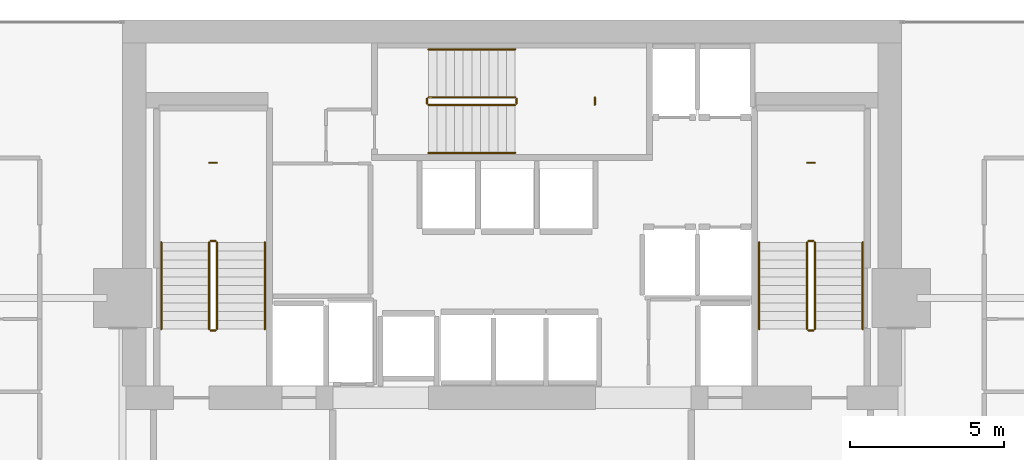
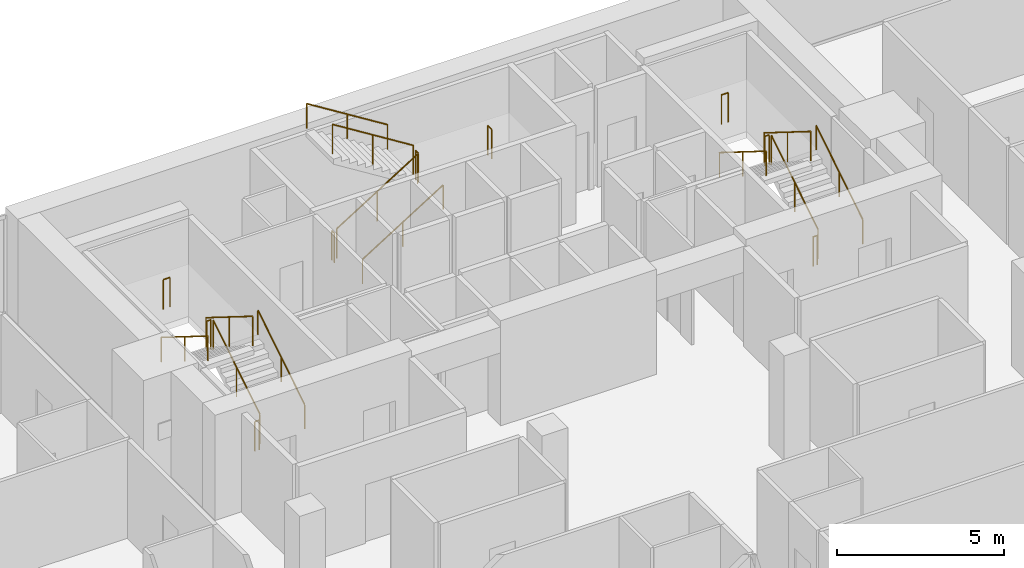
# One storey, part 34 of 34: 21 railings.
"""IFC4 building model written with IfcOpenShell, lengths in metres."""

import ifcopenshell
import ifcopenshell.guid

model = None  # the IFC model being written
_history = None  # IfcOwnerHistory: only IFC2X3 demands one
_inside = {}  # id of a spatial element -> (the spatial element, [elements in it])
_under = {}  # id of a project, library or spatial element -> (it, [spatial elements below it])
_declared = {}  # id of a project -> (the project, [libraries it declares])
_typed = {}  # id of a type object -> (the type object, [elements of that type])
_made_of = {}  # id of a material, layer set ... -> (it, [elements and type objects made of it])


def new_model(schema):
    """Start an empty IFC model of exactly this schema.

    Asked for "IFC4X3", IfcOpenShell would pick the latest addendum, in which some entities
    have other attributes; the version numbers below select the first issue.
    IFC2X3 requires an IfcOwnerHistory on every rooted entity: one is made here for all.
    """
    global model, _history
    if schema == "IFC4X3":
        model = ifcopenshell.file(schema_version=(4, 3, 0, 0))
    else:
        model = ifcopenshell.file(schema=schema)
    _inside.clear()
    _under.clear()
    _declared.clear()
    _typed.clear()
    _made_of.clear()
    _history = None
    if model.schema == "IFC2X3":
        org = make("IfcOrganization", Name="unknown")
        user = make(
            "IfcPersonAndOrganization",
            ThePerson=make("IfcPerson", FamilyName="unknown"),
            TheOrganization=org,
        )
        app = make(
            "IfcApplication",
            ApplicationDeveloper=org,
            Version="unknown",
            ApplicationFullName="unknown",
            ApplicationIdentifier="unknown",
        )
        _history = make(
            "IfcOwnerHistory",
            OwningUser=user,
            OwningApplication=app,
            ChangeAction="ADDED",
            CreationDate=0,
        )
    return model


def make(cls, **values):
    """One entity of the class cls with the attributes given. An attribute that is None is left unset."""
    return model.create_entity(
        cls, **{name: value for name, value in values.items() if value is not None}
    )


def rooted(cls, **values):
    """An entity with a GlobalId (a new one), such as an element, a storey or a relation."""
    return make(cls, GlobalId=ifcopenshell.guid.new(), OwnerHistory=_history, **values)


def si_unit(unit_type, name, prefix=None):
    """IfcSIUnit, for example si_unit("LENGTHUNIT", "METRE", prefix="MILLI")."""
    return make("IfcSIUnit", UnitType=unit_type, Prefix=prefix, Name=name)


def assignment(units):
    """IfcUnitAssignment: the units of a project."""
    return None if units is None else make("IfcUnitAssignment", Units=units)


def point(xyz):
    """IfcCartesianPoint."""
    return None if xyz is None else make("IfcCartesianPoint", Coordinates=xyz)


def direction(xyz):
    """IfcDirection."""
    return None if xyz is None else make("IfcDirection", DirectionRatios=xyz)


def frame(location, z_axis=None, x_axis=None):
    """IfcAxis2Placement3D, a coordinate frame: its origin and axes. An axis left out is left unset."""
    return make(
        "IfcAxis2Placement3D",
        Location=point(location),
        Axis=direction(z_axis),
        RefDirection=direction(x_axis),
    )


def frame_2d(location, x_axis=None):
    """IfcAxis2Placement2D, a coordinate frame in the plane: its origin and x axis."""
    return make(
        "IfcAxis2Placement2D", Location=point(location), RefDirection=direction(x_axis)
    )


def origin():
    """The frame at (0, 0, 0) with its axes left unset."""
    return frame((0.0, 0.0, 0.0))


def origin_2d():
    """The frame at (0, 0) in the plane with its x axis left unset."""
    return frame_2d((0.0, 0.0))


def place(relative_to, where):
    """IfcLocalPlacement: puts the frame where relative to a parent placement (None: the world)."""
    return make(
        "IfcLocalPlacement", PlacementRelTo=relative_to, RelativePlacement=where
    )


def context(
    kind, dimensions, precision=None, world=None, true_north=None, identifier=None
):
    """IfcGeometricRepresentationContext, for example the 3D "Model" context."""
    return make(
        "IfcGeometricRepresentationContext",
        ContextIdentifier=identifier,
        ContextType=kind,
        CoordinateSpaceDimension=dimensions,
        Precision=precision,
        WorldCoordinateSystem=world,
        TrueNorth=true_north,
    )


def subcontext(parent, identifier, kind, view, scale=None):
    """IfcGeometricRepresentationSubContext, for example "Body" below "Model"."""
    return make(
        "IfcGeometricRepresentationSubContext",
        ContextIdentifier=identifier,
        ContextType=kind,
        ParentContext=parent,
        TargetScale=scale,
        TargetView=view,
    )


def project(units=None, contexts=None):
    """IfcProject with its units and contexts."""
    return rooted(
        "IfcProject",
        Name="project",
        RepresentationContexts=contexts,
        UnitsInContext=assignment(units),
    )


def spatial(cls, under=None, at=None, **own):
    """A site, building, storey or space (cls), placed at a placement, below another one or the project."""
    s = rooted(cls, ObjectPlacement=at, **own)
    if under is not None:
        _under.setdefault(under.id(), (under, []))[1].append(s)
    return s


def profile(cls, at=None, kind="AREA", **sizes):
    """A parametric profile (cls). Its sizes go by their IFC names, for example OverallWidth=200.0."""
    return make(cls, ProfileType=kind, Position=at, **sizes)


def circle(**sizes):
    """IfcCircleProfileDef."""
    return profile("IfcCircleProfileDef", **sizes)


def extrude(swept, where, along, depth):
    """IfcExtrudedAreaSolid: the profile swept, set in the frame where, extruded along a direction by depth."""
    return make(
        "IfcExtrudedAreaSolid",
        SweptArea=swept,
        Position=where,
        ExtrudedDirection=direction(along),
        Depth=depth,
    )


def shape(context_of_items, identifier, shape_type, items):
    """IfcShapeRepresentation: the items that make up one representation, for example the "Body"."""
    return make(
        "IfcShapeRepresentation",
        ContextOfItems=context_of_items,
        RepresentationIdentifier=identifier,
        RepresentationType=shape_type,
        Items=items,
    )


def material(Name=None, Category=None):
    """IfcMaterial."""
    return make("IfcMaterial", Name=Name, Category=Category)


def made_of(thing, what):
    """Note that an element or type object is made of a material, layer set ...; save() writes the relation."""
    if what is not None:
        _made_of.setdefault(what.id(), (what, []))[1].append(thing)
    return thing


def type_object(cls, material=None, **own):
    """A type object (cls), such as IfcWallType, which elements share."""
    return made_of(rooted(cls, **own), material)


def element(
    cls,
    number,
    at=None,
    inside=None,
    cuts=None,
    type_object=None,
    material=None,
    context=None,
    identifier="Body",
    shape_type=None,
    held_by="IfcProductDefinitionShape",
    body=None,
    shapes=None,
    **own,
):
    """One element of the class cls, such as IfcWall. Its Tag is "e" and its number.

    at: its placement. inside: the storey or other place that contains it. cuts: it is an
    opening in that element (IfcRelVoidsElement). A single representation is given by context,
    identifier, shape_type and body (its items); several are given by shapes. held_by: the class
    of the entity that holds the representations. save() writes the other relations.
    """
    e = rooted(cls, Tag="e%d" % number, ObjectPlacement=at, **own)
    if body is not None:
        shapes = [shape(context, identifier, shape_type, body)]
    if shapes is not None:
        e.Representation = make(held_by, Representations=shapes)
    if inside is not None:
        _inside.setdefault(inside.id(), (inside, []))[1].append(e)
    if cuts is not None:
        rooted(
            "IfcRelVoidsElement", RelatingBuildingElement=cuts, RelatedOpeningElement=e
        )
    if type_object is not None:
        _typed.setdefault(type_object.id(), (type_object, []))[1].append(e)
    return made_of(e, material)


def aggregate(whole, parts):
    """IfcRelAggregates: a whole, such as a stair, and the parts it consists of."""
    return rooted("IfcRelAggregates", RelatingObject=whole, RelatedObjects=parts)


def save(model, path):
    """Write the relations noted so far, then the file.

    IfcRelAggregates (storeys below a building ...), IfcRelContainedInSpatialStructure (elements
    in a storey), IfcRelDefinesByType, IfcRelAssociatesMaterial and IfcRelDeclares: one each for
    every whole, place, type object, material and project.
    """
    for whole, parts in _under.values():
        aggregate(whole, parts)
    for where, things in _inside.values():
        rooted(
            "IfcRelContainedInSpatialStructure",
            RelatedElements=things,
            RelatingStructure=where,
        )
    for kind, things in _typed.values():
        rooted("IfcRelDefinesByType", RelatedObjects=things, RelatingType=kind)
    for what, things in _made_of.values():
        rooted("IfcRelAssociatesMaterial", RelatedObjects=things, RelatingMaterial=what)
    for by, libraries in _declared.values():
        rooted("IfcRelDeclares", RelatingContext=by, RelatedDefinitions=libraries)
    model.write(path)


model = new_model("IFC4")

# Units and contexts
model_context = context("Model", 3, precision=1e-05, world=origin(), true_north=direction((0.0, 1.0)))
body_context = subcontext(model_context, "Body", "Model", "MODEL_VIEW")
ifc_project = project(units=[si_unit("LENGTHUNIT", "METRE"), si_unit("AREAUNIT", "SQUARE_METRE"), si_unit("VOLUMEUNIT", "CUBIC_METRE"), si_unit("PLANEANGLEUNIT", "RADIAN"), si_unit("MASSUNIT", "GRAM", prefix="KILO")], contexts=[model_context])

# Site, building, storey
site_placement = place(None, origin())
site = spatial("IfcSite", under=ifc_project, at=site_placement, CompositionType="ELEMENT")
building_placement = place(site_placement, origin())
building = spatial("IfcBuilding", under=site, at=building_placement, Name="Maruvema Waterfront Hotel and Observation Tower", CompositionType="ELEMENT")
storey_placement = place(building_placement, frame((0.0, 0.0, 189.0)))
storey = spatial("IfcBuildingStorey", under=building, at=storey_placement, Name="L46", CompositionType="ELEMENT", Elevation=189.0)

# Railings
ifc_material_1 = material(Name="Brushed stainless steel Grade 316", Category="steel")
railing_type_1 = type_object("IfcRailingType", Name="Ramp Continuous Wall Handrail 920 mm", PredefinedType="HANDRAIL", material=ifc_material_1)
railing_1_placement = place(storey_placement, frame((29.800048828125, 44.0, 0.175048828125)))
element("IfcRailing", 1, at=railing_1_placement, inside=storey, type_object=railing_type_1, Name="L46 ST-01 stair handrail 1", PredefinedType="HANDRAIL", context=body_context, shape_type="SweptSolid", body=[
    extrude(circle(Radius=0.02392578125, at=origin_2d()), frame((0.0, 0.0, 0.89599609375), z_axis=(0.0, 0.848002457836, 0.529992293815), x_axis=(-1.0, 0.0, 0.0)), (0.0, 0.0, 1.0), 3.302001953125),
    extrude(circle(Radius=0.02099609375, at=origin_2d()), origin(), (0.0, 0.0, 1.0), 0.871826171875),
    extrude(circle(Radius=0.02099609375, at=origin_2d()), frame((0.0, 1.39990234375, 0.875)), (0.0, 0.0, 1.0), 0.871826171875),
    extrude(circle(Radius=0.02099609375, at=origin_2d()), frame((0.0, 2.800048828125, 1.75)), (0.0, 0.0, 1.0), 0.871826171875),
])
railing_2_placement = place(storey_placement, frame((26.449951171875, 46.800048828125, 2.10009765625)))
element("IfcRailing", 2, at=railing_2_placement, inside=storey, type_object=railing_type_1, Name="L46 ST-01 stair handrail 2", PredefinedType="HANDRAIL", context=body_context, shape_type="SweptSolid", body=[
    extrude(circle(Radius=0.02392578125, at=origin_2d()), frame((0.0, 0.0, 0.89599609375), z_axis=(0.0, -0.848002457836, 0.529992293815), x_axis=(1.0, 0.0, 0.0)), (0.0, 0.0, 1.0), 3.302001953125),
    extrude(circle(Radius=0.02099609375, at=origin_2d()), origin(), (0.0, 0.0, 1.0), 0.871826171875),
    extrude(circle(Radius=0.02099609375, at=origin_2d()), frame((0.0, -1.39990234375, 0.875)), (0.0, 0.0, 1.0), 0.871826171875),
    extrude(circle(Radius=0.02099609375, at=origin_2d()), frame((0.0, -2.800048828125, 1.75)), (0.0, 0.0, 1.0), 0.871826171875),
])
railing_3_placement = place(storey_placement, frame((35.10009765625, 49.699951171875, 0.175048828125)))
element("IfcRailing", 3, at=railing_3_placement, inside=storey, type_object=railing_type_1, Name="L46 ST-02 stair handrail 1", PredefinedType="HANDRAIL", context=body_context, shape_type="SweptSolid", body=[
    extrude(circle(Radius=0.02392578125, at=origin_2d()), frame((0.0, 0.0, 0.89599609375), z_axis=(0.847981687118, 0.0, 0.530025526095), x_axis=(0.0, 1.0, 0.0)), (0.0, 0.0, 1.0), 3.3017578125),
    extrude(circle(Radius=0.02099609375, at=origin_2d()), origin(), (0.0, 0.0, 1.0), 0.871826171875),
    extrude(circle(Radius=0.02099609375, at=origin_2d()), frame((1.39990234375, 0.0, 0.875)), (0.0, 0.0, 1.0), 0.871826171875),
    extrude(circle(Radius=0.02099609375, at=origin_2d()), frame((2.7998046875, 0.0, 1.75)), (0.0, 0.0, 1.0), 0.871826171875),
])
railing_4_placement = place(storey_placement, frame((37.89990234375, 53.050048828125, 2.10009765625)))
element("IfcRailing", 4, at=railing_4_placement, inside=storey, type_object=railing_type_1, Name="L46 ST-02 stair handrail 2", PredefinedType="HANDRAIL", context=body_context, shape_type="SweptSolid", body=[
    extrude(circle(Radius=0.02392578125, at=origin_2d()), frame((0.0, 0.0, 0.89599609375), z_axis=(-0.847981687118, 0.0, 0.530025526095), x_axis=(0.0, -1.0, 0.0)), (0.0, 0.0, 1.0), 3.3017578125),
    extrude(circle(Radius=0.02099609375, at=origin_2d()), origin(), (0.0, 0.0, 1.0), 0.871826171875),
    extrude(circle(Radius=0.02099609375, at=origin_2d()), frame((-1.39990234375, 0.0, 0.875)), (0.0, 0.0, 1.0), 0.871826171875),
    extrude(circle(Radius=0.02099609375, at=origin_2d()), frame((-2.7998046875, 0.0, 1.75)), (0.0, 0.0, 1.0), 0.871826171875),
])
railing_5_placement = place(storey_placement, frame((49.14990234375, 44.0, 0.175048828125)))
element("IfcRailing", 5, at=railing_5_placement, inside=storey, type_object=railing_type_1, Name="L46 ST-03 stair handrail 1", PredefinedType="HANDRAIL", context=body_context, shape_type="SweptSolid", body=[
    extrude(circle(Radius=0.02392578125, at=origin_2d()), frame((0.0, 0.0, 0.89599609375), z_axis=(0.0, 0.848002457836, 0.529992293815), x_axis=(-1.0, 0.0, 0.0)), (0.0, 0.0, 1.0), 3.302001953125),
    extrude(circle(Radius=0.02099609375, at=origin_2d()), origin(), (0.0, 0.0, 1.0), 0.871826171875),
    extrude(circle(Radius=0.02099609375, at=origin_2d()), frame((0.0, 1.39990234375, 0.875)), (0.0, 0.0, 1.0), 0.871826171875),
    extrude(circle(Radius=0.02099609375, at=origin_2d()), frame((0.0, 2.800048828125, 1.75)), (0.0, 0.0, 1.0), 0.871826171875),
])
railing_6_placement = place(storey_placement, frame((45.800048828125, 46.800048828125, 2.10009765625)))
element("IfcRailing", 6, at=railing_6_placement, inside=storey, type_object=railing_type_1, Name="L46 ST-03 stair handrail 2", PredefinedType="HANDRAIL", context=body_context, shape_type="SweptSolid", body=[
    extrude(circle(Radius=0.02392578125, at=origin_2d()), frame((0.0, 0.0, 0.89599609375), z_axis=(0.0, -0.848002457836, 0.529992293815), x_axis=(1.0, 0.0, 0.0)), (0.0, 0.0, 1.0), 3.302001953125),
    extrude(circle(Radius=0.02099609375, at=origin_2d()), origin(), (0.0, 0.0, 1.0), 0.871826171875),
    extrude(circle(Radius=0.02099609375, at=origin_2d()), frame((0.0, -1.39990234375, 0.875)), (0.0, 0.0, 1.0), 0.871826171875),
    extrude(circle(Radius=0.02099609375, at=origin_2d()), frame((0.0, -2.800048828125, 1.75)), (0.0, 0.0, 1.0), 0.871826171875),
])
ifc_material_2 = material(Name="Brushed stainless steel Grade 316", Category="steel")
railing_type_2 = type_object("IfcRailingType", Name="Ramp and Terrace Guard Balustrade 1100 mm", PredefinedType="BALUSTRADE", material=ifc_material_2)
railing_7_placement = place(storey_placement, frame((28.25, 44.0, 0.175048828125)))
element("IfcRailing", 7, at=railing_7_placement, inside=storey, type_object=railing_type_2, Name="L46 ST-01 stair guard 1", PredefinedType="BALUSTRADE", context=body_context, shape_type="SweptSolid", body=[
    extrude(circle(Radius=0.02392578125, at=origin_2d()), frame((0.0, 0.0, 1.076171875), z_axis=(0.0, 0.848002457836, 0.529992293815), x_axis=(-1.0, 0.0, 0.0)), (0.0, 0.0, 1.0), 3.302001953125),
    extrude(circle(Radius=0.02099609375, at=origin_2d()), origin(), (0.0, 0.0, 1.0), 1.052001953125),
    extrude(circle(Radius=0.02099609375, at=origin_2d()), frame((0.0, 1.39990234375, 0.875)), (0.0, 0.0, 1.0), 1.052001953125),
    extrude(circle(Radius=0.02099609375, at=origin_2d()), frame((0.0, 2.800048828125, 1.75)), (0.0, 0.0, 1.0), 1.052001953125),
])
railing_8_placement = place(storey_placement, frame((28.199951171875, 46.85009765625, 1.925048828125)))
element("IfcRailing", 8, at=railing_8_placement, inside=storey, type_object=railing_type_2, Name="L46 ST-01 stair guard 2", PredefinedType="BALUSTRADE", context=body_context, shape_type="SweptSolid", body=[
    extrude(circle(Radius=0.02392578125, at=origin_2d()), frame((0.0, 0.0, 1.076171875), z_axis=(-1.0, 0.0, 0.0), x_axis=(0.0, -1.0, 0.0)), (0.0, 0.0, 1.0), 0.14990234375),
    extrude(circle(Radius=0.02099609375, at=origin_2d()), origin(), (0.0, 0.0, 1.0), 1.052001953125),
    extrude(circle(Radius=0.02099609375, at=origin_2d()), frame((-0.14990234375, 0.0, 0.0)), (0.0, 0.0, 1.0), 1.052001953125),
])
railing_9_placement = place(storey_placement, frame((28.0, 46.800048828125, 2.10009765625)))
element("IfcRailing", 9, at=railing_9_placement, inside=storey, type_object=railing_type_2, Name="L46 ST-01 stair guard 3", PredefinedType="BALUSTRADE", context=body_context, shape_type="SweptSolid", body=[
    extrude(circle(Radius=0.02392578125, at=origin_2d()), frame((0.0, 0.0, 1.076171875), z_axis=(0.0, -0.848002457836, 0.529992293815), x_axis=(1.0, 0.0, 0.0)), (0.0, 0.0, 1.0), 3.302001953125),
    extrude(circle(Radius=0.02099609375, at=origin_2d()), origin(), (0.0, 0.0, 1.0), 1.052001953125),
    extrude(circle(Radius=0.02099609375, at=origin_2d()), frame((0.0, -1.39990234375, 0.875)), (0.0, 0.0, 1.0), 1.052001953125),
    extrude(circle(Radius=0.02099609375, at=origin_2d()), frame((0.0, -2.800048828125, 1.75)), (0.0, 0.0, 1.0), 1.052001953125),
])
railing_10_placement = place(storey_placement, frame((28.199951171875, 43.949951171875, 0.0)))
element("IfcRailing", 10, at=railing_10_placement, inside=storey, type_object=railing_type_2, Name="L46 ST-01 stair guard 4", PredefinedType="BALUSTRADE", context=body_context, shape_type="SweptSolid", body=[
    extrude(circle(Radius=0.02392578125, at=origin_2d()), frame((0.0, 0.0, 1.076171875), z_axis=(-1.0, 0.0, 0.0), x_axis=(0.0, -1.0, 0.0)), (0.0, 0.0, 1.0), 0.14990234375),
    extrude(circle(Radius=0.02099609375, at=origin_2d()), origin(), (0.0, 0.0, 1.0), 1.052001953125),
    extrude(circle(Radius=0.02099609375, at=origin_2d()), frame((-0.14990234375, 0.0, 0.0)), (0.0, 0.0, 1.0), 1.052001953125),
])
railing_11_placement = place(storey_placement, frame((28.239990234375, 49.3798828125, 1.925048828125)))
element("IfcRailing", 11, at=railing_11_placement, inside=storey, type_object=railing_type_2, Name="L46 ST-01 Half-Landing Slot Guard", PredefinedType="BALUSTRADE", context=body_context, shape_type="SweptSolid", body=[
    extrude(circle(Radius=0.02392578125, at=origin_2d()), frame((0.0, 0.0, 1.076171875), z_axis=(-1.0, 0.0, 0.0), x_axis=(0.0, -1.0, 0.0)), (0.0, 0.0, 1.0), 0.22998046875),
    extrude(circle(Radius=0.02099609375, at=origin_2d()), origin(), (0.0, 0.0, 1.0), 1.052001953125),
    extrude(circle(Radius=0.02099609375, at=origin_2d()), frame((-0.22998046875, 0.0, 0.0)), (0.0, 0.0, 1.0), 1.052001953125),
])
railing_12_placement = place(storey_placement, frame((35.10009765625, 51.25, 0.175048828125)))
element("IfcRailing", 12, at=railing_12_placement, inside=storey, type_object=railing_type_2, Name="L46 ST-02 stair guard 1", PredefinedType="BALUSTRADE", context=body_context, shape_type="SweptSolid", body=[
    extrude(circle(Radius=0.02392578125, at=origin_2d()), frame((0.0, 0.0, 1.076171875), z_axis=(0.847981687118, 0.0, 0.530025526095), x_axis=(0.0, 1.0, 0.0)), (0.0, 0.0, 1.0), 3.3017578125),
    extrude(circle(Radius=0.02099609375, at=origin_2d()), origin(), (0.0, 0.0, 1.0), 1.052001953125),
    extrude(circle(Radius=0.02099609375, at=origin_2d()), frame((1.39990234375, 0.0, 0.875)), (0.0, 0.0, 1.0), 1.052001953125),
    extrude(circle(Radius=0.02099609375, at=origin_2d()), frame((2.7998046875, 0.0, 1.75)), (0.0, 0.0, 1.0), 1.052001953125),
])
railing_13_placement = place(storey_placement, frame((37.949951171875, 51.300048828125, 1.925048828125)))
element("IfcRailing", 13, at=railing_13_placement, inside=storey, type_object=railing_type_2, Name="L46 ST-02 stair guard 2", PredefinedType="BALUSTRADE", context=body_context, shape_type="SweptSolid", body=[
    extrude(circle(Radius=0.02392578125, at=origin_2d()), frame((0.0, 0.0, 1.076171875), z_axis=(0.0, 1.0, 0.0), x_axis=(-1.0, 0.0, 0.0)), (0.0, 0.0, 1.0), 0.14990234375),
    extrude(circle(Radius=0.02099609375, at=origin_2d()), origin(), (0.0, 0.0, 1.0), 1.052001953125),
    extrude(circle(Radius=0.02099609375, at=origin_2d()), frame((0.0, 0.14990234375, 0.0)), (0.0, 0.0, 1.0), 1.052001953125),
])
railing_14_placement = place(storey_placement, frame((37.89990234375, 51.5, 2.10009765625)))
element("IfcRailing", 14, at=railing_14_placement, inside=storey, type_object=railing_type_2, Name="L46 ST-02 stair guard 3", PredefinedType="BALUSTRADE", context=body_context, shape_type="SweptSolid", body=[
    extrude(circle(Radius=0.02392578125, at=origin_2d()), frame((0.0, 0.0, 1.076171875), z_axis=(-0.847981687118, 0.0, 0.530025526095), x_axis=(0.0, -1.0, 0.0)), (0.0, 0.0, 1.0), 3.3017578125),
    extrude(circle(Radius=0.02099609375, at=origin_2d()), origin(), (0.0, 0.0, 1.0), 1.052001953125),
    extrude(circle(Radius=0.02099609375, at=origin_2d()), frame((-1.39990234375, 0.0, 0.875)), (0.0, 0.0, 1.0), 1.052001953125),
    extrude(circle(Radius=0.02099609375, at=origin_2d()), frame((-2.7998046875, 0.0, 1.75)), (0.0, 0.0, 1.0), 1.052001953125),
])
railing_15_placement = place(storey_placement, frame((35.050048828125, 51.300048828125, 0.0)))
element("IfcRailing", 15, at=railing_15_placement, inside=storey, type_object=railing_type_2, Name="L46 ST-02 stair guard 4", PredefinedType="BALUSTRADE", context=body_context, shape_type="SweptSolid", body=[
    extrude(circle(Radius=0.02392578125, at=origin_2d()), frame((0.0, 0.0, 1.076171875), z_axis=(0.0, 1.0, 0.0), x_axis=(-1.0, 0.0, 0.0)), (0.0, 0.0, 1.0), 0.14990234375),
    extrude(circle(Radius=0.02099609375, at=origin_2d()), origin(), (0.0, 0.0, 1.0), 1.052001953125),
    extrude(circle(Radius=0.02099609375, at=origin_2d()), frame((0.0, 0.14990234375, 0.0)), (0.0, 0.0, 1.0), 1.052001953125),
])
railing_16_placement = place(storey_placement, frame((40.47998046875, 51.260009765625, 1.925048828125)))
element("IfcRailing", 16, at=railing_16_placement, inside=storey, type_object=railing_type_2, Name="L46 ST-02 Half-Landing Slot Guard", PredefinedType="BALUSTRADE", context=body_context, shape_type="SweptSolid", body=[
    extrude(circle(Radius=0.02392578125, at=origin_2d()), frame((0.0, 0.0, 1.076171875), z_axis=(0.0, 1.0, 0.0), x_axis=(-1.0, 0.0, 0.0)), (0.0, 0.0, 1.0), 0.22998046875),
    extrude(circle(Radius=0.02099609375, at=origin_2d()), origin(), (0.0, 0.0, 1.0), 1.052001953125),
    extrude(circle(Radius=0.02099609375, at=origin_2d()), frame((0.0, 0.22998046875, 0.0)), (0.0, 0.0, 1.0), 1.052001953125),
])
railing_17_placement = place(storey_placement, frame((47.60009765625, 44.0, 0.175048828125)))
element("IfcRailing", 17, at=railing_17_placement, inside=storey, type_object=railing_type_2, Name="L46 ST-03 stair guard 1", PredefinedType="BALUSTRADE", context=body_context, shape_type="SweptSolid", body=[
    extrude(circle(Radius=0.02392578125, at=origin_2d()), frame((0.0, 0.0, 1.076171875), z_axis=(0.0, 0.848002457836, 0.529992293815), x_axis=(-1.0, 0.0, 0.0)), (0.0, 0.0, 1.0), 3.302001953125),
    extrude(circle(Radius=0.02099609375, at=origin_2d()), origin(), (0.0, 0.0, 1.0), 1.052001953125),
    extrude(circle(Radius=0.02099609375, at=origin_2d()), frame((0.0, 1.39990234375, 0.875)), (0.0, 0.0, 1.0), 1.052001953125),
    extrude(circle(Radius=0.02099609375, at=origin_2d()), frame((0.0, 2.800048828125, 1.75)), (0.0, 0.0, 1.0), 1.052001953125),
])
railing_18_placement = place(storey_placement, frame((47.550048828125, 46.85009765625, 1.925048828125)))
element("IfcRailing", 18, at=railing_18_placement, inside=storey, type_object=railing_type_2, Name="L46 ST-03 stair guard 2", PredefinedType="BALUSTRADE", context=body_context, shape_type="SweptSolid", body=[
    extrude(circle(Radius=0.02392578125, at=origin_2d()), frame((0.0, 0.0, 1.076171875), z_axis=(-1.0, 0.0, 0.0), x_axis=(0.0, -1.0, 0.0)), (0.0, 0.0, 1.0), 0.150146484375),
    extrude(circle(Radius=0.02099609375, at=origin_2d()), origin(), (0.0, 0.0, 1.0), 1.052001953125),
    extrude(circle(Radius=0.02099609375, at=origin_2d()), frame((-0.150146484375, 0.0, 0.0)), (0.0, 0.0, 1.0), 1.052001953125),
])
railing_19_placement = place(storey_placement, frame((47.35009765625, 46.800048828125, 2.10009765625)))
element("IfcRailing", 19, at=railing_19_placement, inside=storey, type_object=railing_type_2, Name="L46 ST-03 stair guard 3", PredefinedType="BALUSTRADE", context=body_context, shape_type="SweptSolid", body=[
    extrude(circle(Radius=0.02392578125, at=origin_2d()), frame((0.0, 0.0, 1.076171875), z_axis=(0.0, -0.848002457836, 0.529992293815), x_axis=(1.0, 0.0, 0.0)), (0.0, 0.0, 1.0), 3.302001953125),
    extrude(circle(Radius=0.02099609375, at=origin_2d()), origin(), (0.0, 0.0, 1.0), 1.052001953125),
    extrude(circle(Radius=0.02099609375, at=origin_2d()), frame((0.0, -1.39990234375, 0.875)), (0.0, 0.0, 1.0), 1.052001953125),
    extrude(circle(Radius=0.02099609375, at=origin_2d()), frame((0.0, -2.800048828125, 1.75)), (0.0, 0.0, 1.0), 1.052001953125),
])
railing_20_placement = place(storey_placement, frame((47.550048828125, 43.949951171875, 0.0)))
element("IfcRailing", 20, at=railing_20_placement, inside=storey, type_object=railing_type_2, Name="L46 ST-03 stair guard 4", PredefinedType="BALUSTRADE", context=body_context, shape_type="SweptSolid", body=[
    extrude(circle(Radius=0.02392578125, at=origin_2d()), frame((0.0, 0.0, 1.076171875), z_axis=(-1.0, 0.0, 0.0), x_axis=(0.0, -1.0, 0.0)), (0.0, 0.0, 1.0), 0.150146484375),
    extrude(circle(Radius=0.02099609375, at=origin_2d()), origin(), (0.0, 0.0, 1.0), 1.052001953125),
    extrude(circle(Radius=0.02099609375, at=origin_2d()), frame((-0.150146484375, 0.0, 0.0)), (0.0, 0.0, 1.0), 1.052001953125),
])
railing_21_placement = place(storey_placement, frame((47.590087890625, 49.3798828125, 1.925048828125)))
element("IfcRailing", 21, at=railing_21_placement, inside=storey, type_object=railing_type_2, Name="L46 ST-03 Half-Landing Slot Guard", PredefinedType="BALUSTRADE", context=body_context, shape_type="SweptSolid", body=[
    extrude(circle(Radius=0.02392578125, at=origin_2d()), frame((0.0, 0.0, 1.076171875), z_axis=(-1.0, 0.0, 0.0), x_axis=(0.0, -1.0, 0.0)), (0.0, 0.0, 1.0), 0.22998046875),
    extrude(circle(Radius=0.02099609375, at=origin_2d()), origin(), (0.0, 0.0, 1.0), 1.052001953125),
    extrude(circle(Radius=0.02099609375, at=origin_2d()), frame((-0.22998046875, 0.0, 0.0)), (0.0, 0.0, 1.0), 1.052001953125),
])

save(model, "model.ifc")
